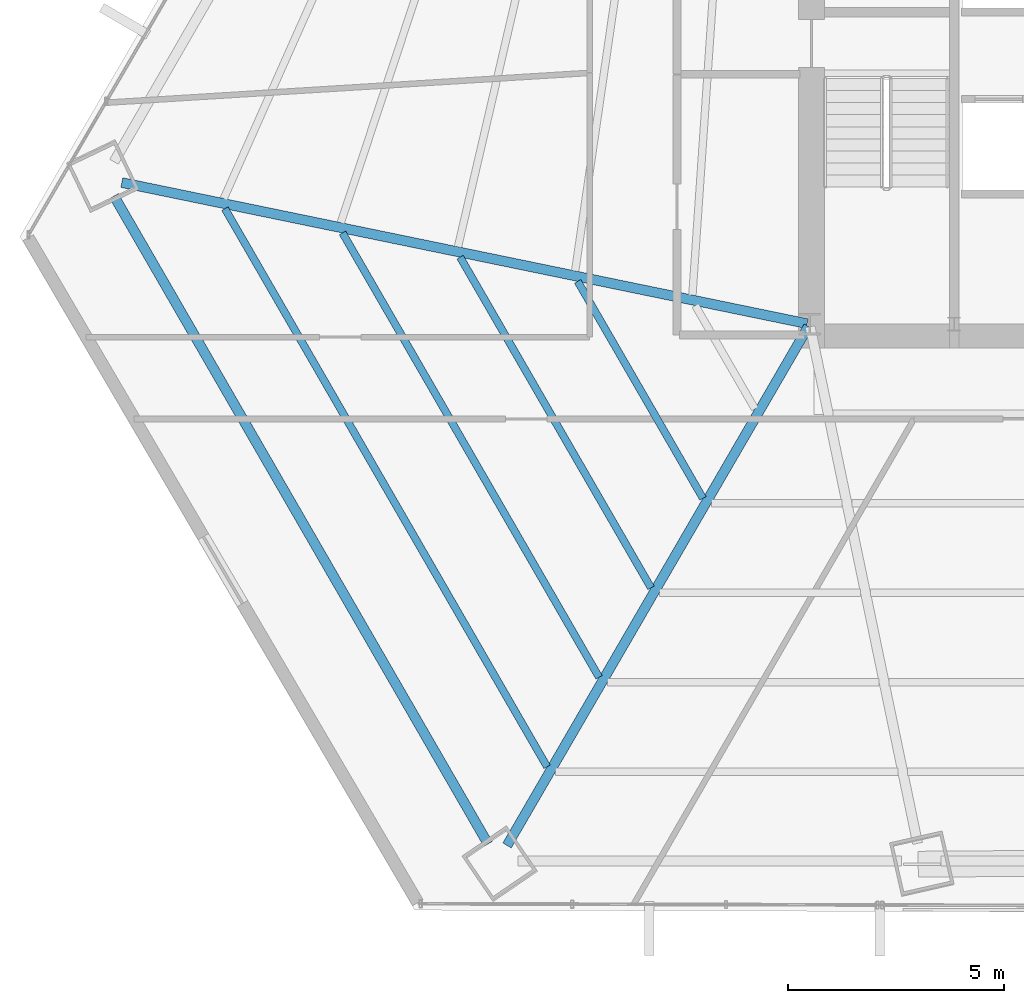
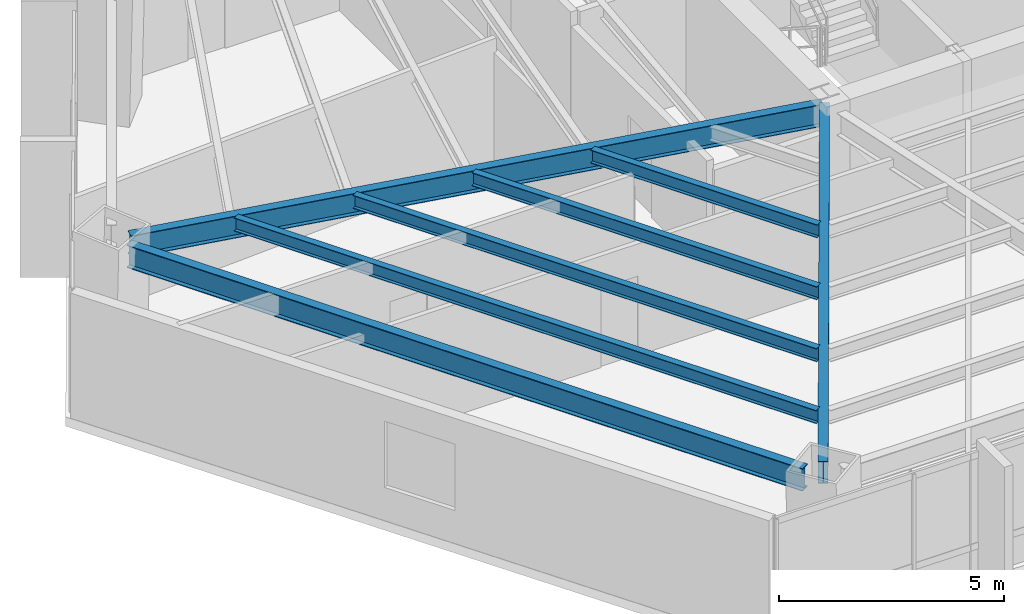
# One storey, part 4 of 29: 7 beams.
"""IFC4 building model written with IfcOpenShell, lengths in metres."""

import ifcopenshell
import ifcopenshell.guid

model = None  # the IFC model being written
_history = None  # IfcOwnerHistory: only IFC2X3 demands one
_inside = {}  # id of a spatial element -> (the spatial element, [elements in it])
_under = {}  # id of a project, library or spatial element -> (it, [spatial elements below it])
_declared = {}  # id of a project -> (the project, [libraries it declares])
_typed = {}  # id of a type object -> (the type object, [elements of that type])
_made_of = {}  # id of a material, layer set ... -> (it, [elements and type objects made of it])


def new_model(schema):
    """Start an empty IFC model of exactly this schema.

    Asked for "IFC4X3", IfcOpenShell would pick the latest addendum, in which some entities
    have other attributes; the version numbers below select the first issue.
    IFC2X3 requires an IfcOwnerHistory on every rooted entity: one is made here for all.
    """
    global model, _history
    if schema == "IFC4X3":
        model = ifcopenshell.file(schema_version=(4, 3, 0, 0))
    else:
        model = ifcopenshell.file(schema=schema)
    _inside.clear()
    _under.clear()
    _declared.clear()
    _typed.clear()
    _made_of.clear()
    _history = None
    if model.schema == "IFC2X3":
        org = make("IfcOrganization", Name="unknown")
        user = make(
            "IfcPersonAndOrganization",
            ThePerson=make("IfcPerson", FamilyName="unknown"),
            TheOrganization=org,
        )
        app = make(
            "IfcApplication",
            ApplicationDeveloper=org,
            Version="unknown",
            ApplicationFullName="unknown",
            ApplicationIdentifier="unknown",
        )
        _history = make(
            "IfcOwnerHistory",
            OwningUser=user,
            OwningApplication=app,
            ChangeAction="ADDED",
            CreationDate=0,
        )
    return model


def make(cls, **values):
    """One entity of the class cls with the attributes given. An attribute that is None is left unset."""
    return model.create_entity(
        cls, **{name: value for name, value in values.items() if value is not None}
    )


def rooted(cls, **values):
    """An entity with a GlobalId (a new one), such as an element, a storey or a relation."""
    return make(cls, GlobalId=ifcopenshell.guid.new(), OwnerHistory=_history, **values)


def si_unit(unit_type, name, prefix=None):
    """IfcSIUnit, for example si_unit("LENGTHUNIT", "METRE", prefix="MILLI")."""
    return make("IfcSIUnit", UnitType=unit_type, Prefix=prefix, Name=name)


def assignment(units):
    """IfcUnitAssignment: the units of a project."""
    return None if units is None else make("IfcUnitAssignment", Units=units)


def point(xyz):
    """IfcCartesianPoint."""
    return None if xyz is None else make("IfcCartesianPoint", Coordinates=xyz)


def direction(xyz):
    """IfcDirection."""
    return None if xyz is None else make("IfcDirection", DirectionRatios=xyz)


def frame(location, z_axis=None, x_axis=None):
    """IfcAxis2Placement3D, a coordinate frame: its origin and axes. An axis left out is left unset."""
    return make(
        "IfcAxis2Placement3D",
        Location=point(location),
        Axis=direction(z_axis),
        RefDirection=direction(x_axis),
    )


def frame_2d(location, x_axis=None):
    """IfcAxis2Placement2D, a coordinate frame in the plane: its origin and x axis."""
    return make(
        "IfcAxis2Placement2D", Location=point(location), RefDirection=direction(x_axis)
    )


def origin():
    """The frame at (0, 0, 0) with its axes left unset."""
    return frame((0.0, 0.0, 0.0))


def origin_2d():
    """The frame at (0, 0) in the plane with its x axis left unset."""
    return frame_2d((0.0, 0.0))


def place(relative_to, where):
    """IfcLocalPlacement: puts the frame where relative to a parent placement (None: the world)."""
    return make(
        "IfcLocalPlacement", PlacementRelTo=relative_to, RelativePlacement=where
    )


def context(
    kind, dimensions, precision=None, world=None, true_north=None, identifier=None
):
    """IfcGeometricRepresentationContext, for example the 3D "Model" context."""
    return make(
        "IfcGeometricRepresentationContext",
        ContextIdentifier=identifier,
        ContextType=kind,
        CoordinateSpaceDimension=dimensions,
        Precision=precision,
        WorldCoordinateSystem=world,
        TrueNorth=true_north,
    )


def subcontext(parent, identifier, kind, view, scale=None):
    """IfcGeometricRepresentationSubContext, for example "Body" below "Model"."""
    return make(
        "IfcGeometricRepresentationSubContext",
        ContextIdentifier=identifier,
        ContextType=kind,
        ParentContext=parent,
        TargetScale=scale,
        TargetView=view,
    )


def project(units=None, contexts=None):
    """IfcProject with its units and contexts."""
    return rooted(
        "IfcProject",
        Name="project",
        RepresentationContexts=contexts,
        UnitsInContext=assignment(units),
    )


def spatial(cls, under=None, at=None, **own):
    """A site, building, storey or space (cls), placed at a placement, below another one or the project."""
    s = rooted(cls, ObjectPlacement=at, **own)
    if under is not None:
        _under.setdefault(under.id(), (under, []))[1].append(s)
    return s


def profile(cls, at=None, kind="AREA", **sizes):
    """A parametric profile (cls). Its sizes go by their IFC names, for example OverallWidth=200.0."""
    return make(cls, ProfileType=kind, Position=at, **sizes)


def i_section(**sizes):
    """IfcIShapeProfileDef."""
    return profile("IfcIShapeProfileDef", **sizes)


def extrude(swept, where, along, depth):
    """IfcExtrudedAreaSolid: the profile swept, set in the frame where, extruded along a direction by depth."""
    return make(
        "IfcExtrudedAreaSolid",
        SweptArea=swept,
        Position=where,
        ExtrudedDirection=direction(along),
        Depth=depth,
    )


def shape(context_of_items, identifier, shape_type, items):
    """IfcShapeRepresentation: the items that make up one representation, for example the "Body"."""
    return make(
        "IfcShapeRepresentation",
        ContextOfItems=context_of_items,
        RepresentationIdentifier=identifier,
        RepresentationType=shape_type,
        Items=items,
    )


def source(mapping_origin, context_of_items, identifier, shape_type, items):
    """IfcRepresentationMap: a shape defined once, which mapped items show again and again."""
    return make(
        "IfcRepresentationMap",
        MappingOrigin=mapping_origin,
        MappedRepresentation=shape(context_of_items, identifier, shape_type, items),
    )


def transform(
    local_origin,
    x_axis=None,
    y_axis=None,
    z_axis=None,
    scale=None,
    scale2=None,
    scale3=None,
    uniform=True,
):
    """IfcCartesianTransformationOperator3D, or its non-uniform kind. x_axis, y_axis, z_axis: its Axis1, 2, 3."""
    if uniform:
        return make(
            "IfcCartesianTransformationOperator3D",
            Axis1=direction(x_axis),
            Axis2=direction(y_axis),
            LocalOrigin=point(local_origin),
            Scale=scale,
            Axis3=direction(z_axis),
        )
    return make(
        "IfcCartesianTransformationOperator3DnonUniform",
        Axis1=direction(x_axis),
        Axis2=direction(y_axis),
        LocalOrigin=point(local_origin),
        Scale=scale,
        Axis3=direction(z_axis),
        Scale2=scale2,
        Scale3=scale3,
    )


def mapped(mapping_source, mapping_target):
    """IfcMappedItem: shows the shape of a source again, moved by a transform."""
    return make(
        "IfcMappedItem", MappingSource=mapping_source, MappingTarget=mapping_target
    )


def material(Name=None, Category=None):
    """IfcMaterial."""
    return make("IfcMaterial", Name=Name, Category=Category)


def material_profile(
    of_material, cross_section, Name=None, Category=None, Priority=None
):
    """IfcMaterialProfile: a cross section and its material."""
    return make(
        "IfcMaterialProfile",
        Name=Name,
        Material=of_material,
        Profile=cross_section,
        Priority=Priority,
        Category=Category,
    )


def profile_set(profiles, Name=None, composite=None):
    """IfcMaterialProfileSet."""
    return make(
        "IfcMaterialProfileSet",
        Name=Name,
        MaterialProfiles=profiles,
        CompositeProfile=composite,
    )


def made_of(thing, what):
    """Note that an element or type object is made of a material, layer set ...; save() writes the relation."""
    if what is not None:
        _made_of.setdefault(what.id(), (what, []))[1].append(thing)
    return thing


def type_object(cls, material=None, **own):
    """A type object (cls), such as IfcWallType, which elements share."""
    return made_of(rooted(cls, **own), material)


def type_shapes(of_type, sources):
    """Give a type object the sources (RepresentationMaps) that its elements show as mapped items."""
    of_type.RepresentationMaps = sources


def element(
    cls,
    number,
    at=None,
    inside=None,
    cuts=None,
    type_object=None,
    material=None,
    context=None,
    identifier="Body",
    shape_type=None,
    held_by="IfcProductDefinitionShape",
    body=None,
    shapes=None,
    **own,
):
    """One element of the class cls, such as IfcWall. Its Tag is "e" and its number.

    at: its placement. inside: the storey or other place that contains it. cuts: it is an
    opening in that element (IfcRelVoidsElement). A single representation is given by context,
    identifier, shape_type and body (its items); several are given by shapes. held_by: the class
    of the entity that holds the representations. save() writes the other relations.
    """
    e = rooted(cls, Tag="e%d" % number, ObjectPlacement=at, **own)
    if body is not None:
        shapes = [shape(context, identifier, shape_type, body)]
    if shapes is not None:
        e.Representation = make(held_by, Representations=shapes)
    if inside is not None:
        _inside.setdefault(inside.id(), (inside, []))[1].append(e)
    if cuts is not None:
        rooted(
            "IfcRelVoidsElement", RelatingBuildingElement=cuts, RelatedOpeningElement=e
        )
    if type_object is not None:
        _typed.setdefault(type_object.id(), (type_object, []))[1].append(e)
    return made_of(e, material)


def aggregate(whole, parts):
    """IfcRelAggregates: a whole, such as a stair, and the parts it consists of."""
    return rooted("IfcRelAggregates", RelatingObject=whole, RelatedObjects=parts)


def save(model, path):
    """Write the relations noted so far, then the file.

    IfcRelAggregates (storeys below a building ...), IfcRelContainedInSpatialStructure (elements
    in a storey), IfcRelDefinesByType, IfcRelAssociatesMaterial and IfcRelDeclares: one each for
    every whole, place, type object, material and project.
    """
    for whole, parts in _under.values():
        aggregate(whole, parts)
    for where, things in _inside.values():
        rooted(
            "IfcRelContainedInSpatialStructure",
            RelatedElements=things,
            RelatingStructure=where,
        )
    for kind, things in _typed.values():
        rooted("IfcRelDefinesByType", RelatedObjects=things, RelatingType=kind)
    for what, things in _made_of.values():
        rooted("IfcRelAssociatesMaterial", RelatedObjects=things, RelatingMaterial=what)
    for by, libraries in _declared.values():
        rooted("IfcRelDeclares", RelatingContext=by, RelatedDefinitions=libraries)
    model.write(path)


model = new_model("IFC4")

# Units and contexts
model_context = context("Model", 3, precision=1e-05, world=origin(), true_north=direction((0.0, 1.0)))
body_context = subcontext(model_context, "Body", "Model", "MODEL_VIEW")
ifc_project = project(units=[si_unit("LENGTHUNIT", "METRE"), si_unit("AREAUNIT", "SQUARE_METRE"), si_unit("VOLUMEUNIT", "CUBIC_METRE"), si_unit("PLANEANGLEUNIT", "RADIAN"), si_unit("MASSUNIT", "GRAM", prefix="KILO")], contexts=[model_context])

# Site, building, storey
site_placement = place(None, origin())
site = spatial("IfcSite", under=ifc_project, at=site_placement, CompositionType="ELEMENT")
building_placement = place(site_placement, origin())
building = spatial("IfcBuilding", under=site, at=building_placement, Name="Caelisora Broadcast Tower", CompositionType="ELEMENT")
storey_placement = place(building_placement, frame((0.0, 0.0, 31.25)))
storey = spatial("IfcBuildingStorey", under=building, at=storey_placement, Name="L07", CompositionType="ELEMENT", Elevation=31.25)

# Beams
ifc_material = material(Name="Steel Grade 350 (AS/NZS 3679.1)", Category="steel")
ifc_material_profile_1 = material_profile(ifc_material, i_section(OverallWidth=0.22900390625, OverallDepth=0.611572265625, WebThickness=0.011962890625, FlangeThickness=0.01953125, at=origin_2d()), Name="Steel Grade 350 (AS/NZS 3679.1)")
ifc_profile_set_1 = profile_set([ifc_material_profile_1], Name="Steel Grade 350 (AS/NZS 3679.1)")
beam_type_1 = type_object("IfcBeamType", Name="PG03", PredefinedType="BEAM", material=ifc_profile_set_1)
shared_shape_1 = source(origin(), body_context, "Body", "SweptSolid", [
    extrude(i_section(OverallWidth=0.22900390625, OverallDepth=0.611572265625, WebThickness=0.011962890625, FlangeThickness=0.01953125, at=origin_2d()), origin(), (0.0, 0.0, 1.0), 17.354248046875),
])
type_shapes(beam_type_1, [shared_shape_1])
beam_1_placement = place(storey_placement, frame((14.3623046875, 20.372314453125, 3.09423828125), z_axis=(0.499992798144, -0.866029561738, 0.0), x_axis=(0.866029561738, 0.499992798144, 0.0)))
element("IfcBeam", 1, at=beam_1_placement, inside=storey, type_object=beam_type_1, Name="L07 beam PG03", PredefinedType="BEAM", context=body_context, shape_type="MappedRepresentation", body=[
    mapped(shared_shape_1, transform((0.0, 0.0, 0.0), scale=1.0)),
])
ifc_material_profile_2 = material_profile(ifc_material, i_section(OverallWidth=0.22802734375, OverallDepth=0.602294921875, WebThickness=0.010498046875, FlangeThickness=0.014892578125, at=origin_2d()), Name="Steel Grade 350 (AS/NZS 3679.1)")
ifc_profile_set_2 = profile_set([ifc_material_profile_2], Name="Steel Grade 350 (AS/NZS 3679.1)")
beam_type_2 = type_object("IfcBeamType", Name="PG04", PredefinedType="BEAM", material=ifc_profile_set_2)
shared_shape_2 = source(origin(), body_context, "Body", "SweptSolid", [
    extrude(i_section(OverallWidth=0.22802734375, OverallDepth=0.602294921875, WebThickness=0.010498046875, FlangeThickness=0.014892578125, at=origin_2d()), origin(), (0.0, 0.0, 1.0), 16.23095703125),
])
beam_2_placement = place(storey_placement, frame((30.441162109375, 17.412109375, 3.098876953125), z_axis=(-0.979448828857, 0.201692815071, 0.0), x_axis=(-0.201692815071, -0.979448828857, 0.0)))
element("IfcBeam", 2, at=beam_2_placement, inside=storey, type_object=beam_type_2, Name="L07 beam PG04", PredefinedType="BEAM", context=body_context, shape_type="MappedRepresentation", body=[
    mapped(shared_shape_2, transform((0.0, 0.0, 0.0), scale=1.0)),
])
shared_shape_3 = source(origin(), body_context, "Body", "SweptSolid", [
    extrude(i_section(OverallWidth=0.22802734375, OverallDepth=0.602294921875, WebThickness=0.010498046875, FlangeThickness=0.014892578125, at=origin_2d()), origin(), (0.0, 0.0, 1.0), 13.922119140625),
])
type_shapes(beam_type_2, [shared_shape_2, shared_shape_3])
beam_3_placement = place(storey_placement, frame((30.469970703125, 17.34814453125, 3.098876953125), z_axis=(-0.502061058373, -0.86483217659, 0.0), x_axis=(0.86483217659, -0.502061058373, 0.0)))
element("IfcBeam", 3, at=beam_3_placement, inside=storey, type_object=beam_type_2, Name="L07 beam PG04", PredefinedType="BEAM", context=body_context, shape_type="MappedRepresentation", body=[
    mapped(shared_shape_3, transform((0.0, 0.0, 0.0), scale=1.0)),
])
ifc_material_profile_3 = material_profile(ifc_material, i_section(OverallWidth=0.172119140625, OverallDepth=0.358642578125, WebThickness=0.008056640625, FlangeThickness=0.012939453125, at=origin_2d()), Name="Steel Grade 350 (AS/NZS 3679.1)")
ifc_profile_set_3 = profile_set([ifc_material_profile_3], Name="Steel Grade 350 (AS/NZS 3679.1)")
beam_type_3 = type_object("IfcBeamType", Name="SB02", PredefinedType="JOIST", material=ifc_profile_set_3)
shared_shape_4 = source(origin(), body_context, "Body", "SweptSolid", [
    extrude(i_section(OverallWidth=0.172119140625, OverallDepth=0.358642578125, WebThickness=0.008056640625, FlangeThickness=0.012939453125, at=origin_2d()), origin(), (0.0, 0.0, 1.0), 5.813232421875),
])
beam_4_placement = place(storey_placement, frame((25.118896484375, 18.39404296875, 3.220703125), z_axis=(0.499982993942, -0.866035222014, 0.0), x_axis=(0.866035222014, 0.499982993942, 0.0)))
element("IfcBeam", 4, at=beam_4_placement, inside=storey, type_object=beam_type_3, Name="L07 beam SB02", PredefinedType="JOIST", context=body_context, shape_type="MappedRepresentation", body=[
    mapped(shared_shape_4, transform((0.0, 0.0, 0.0), scale=1.0)),
])
shared_shape_5 = source(origin(), body_context, "Body", "SweptSolid", [
    extrude(i_section(OverallWidth=0.172119140625, OverallDepth=0.358642578125, WebThickness=0.008056640625, FlangeThickness=0.012939453125, at=origin_2d()), origin(), (0.0, 0.0, 1.0), 8.85888671875),
])
beam_5_placement = place(storey_placement, frame((22.390869140625, 18.955810546875, 3.220703125), z_axis=(0.499995200475, -0.866028174774, 0.0), x_axis=(0.866028174774, 0.499995200475, 0.0)))
element("IfcBeam", 5, at=beam_5_placement, inside=storey, type_object=beam_type_3, Name="L07 beam SB02", PredefinedType="JOIST", context=body_context, shape_type="MappedRepresentation", body=[
    mapped(shared_shape_5, transform((0.0, 0.0, 0.0), scale=1.0)),
])
shared_shape_6 = source(origin(), body_context, "Body", "SweptSolid", [
    extrude(i_section(OverallWidth=0.172119140625, OverallDepth=0.358642578125, WebThickness=0.008056640625, FlangeThickness=0.012939453125, at=origin_2d()), origin(), (0.0, 0.0, 1.0), 11.90478515625),
])
beam_6_placement = place(storey_placement, frame((19.662841796875, 19.517578125, 3.220703125), z_axis=(0.500001160984, -0.866024733489, 0.0), x_axis=(0.866024733489, 0.500001160984, 0.0)))
element("IfcBeam", 6, at=beam_6_placement, inside=storey, type_object=beam_type_3, Name="L07 beam SB02", PredefinedType="JOIST", context=body_context, shape_type="MappedRepresentation", body=[
    mapped(shared_shape_6, transform((0.0, 0.0, 0.0), scale=1.0)),
])
shared_shape_7 = source(origin(), body_context, "Body", "SweptSolid", [
    extrude(i_section(OverallWidth=0.172119140625, OverallDepth=0.358642578125, WebThickness=0.008056640625, FlangeThickness=0.012939453125, at=origin_2d()), origin(), (0.0, 0.0, 1.0), 14.950439453125),
])
type_shapes(beam_type_3, [shared_shape_4, shared_shape_5, shared_shape_6, shared_shape_7])
beam_7_placement = place(storey_placement, frame((16.934814453125, 20.079345703125, 3.220703125), z_axis=(0.500004692883, -0.86602269433, 0.0), x_axis=(0.86602269433, 0.500004692883, 0.0)))
element("IfcBeam", 7, at=beam_7_placement, inside=storey, type_object=beam_type_3, Name="L07 beam SB02", PredefinedType="JOIST", context=body_context, shape_type="MappedRepresentation", body=[
    mapped(shared_shape_7, transform((0.0, 0.0, 0.0), scale=1.0)),
])

save(model, "model.ifc")
